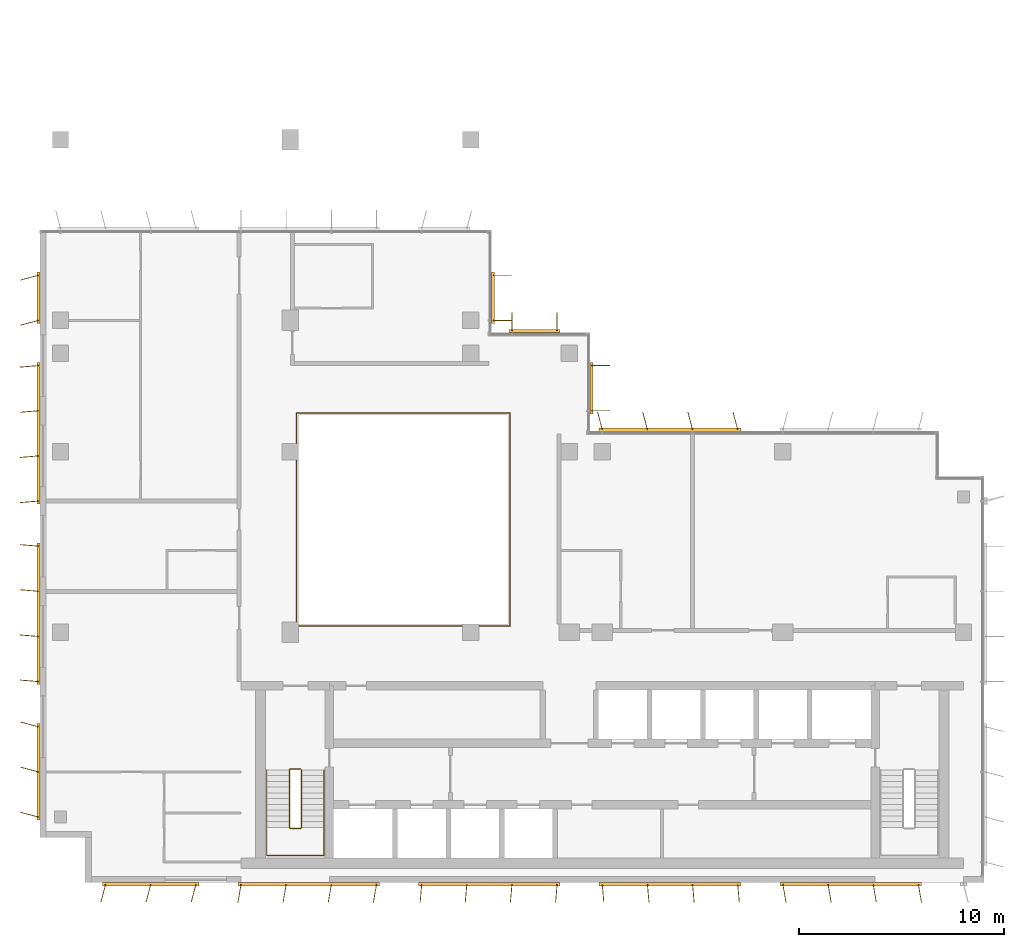
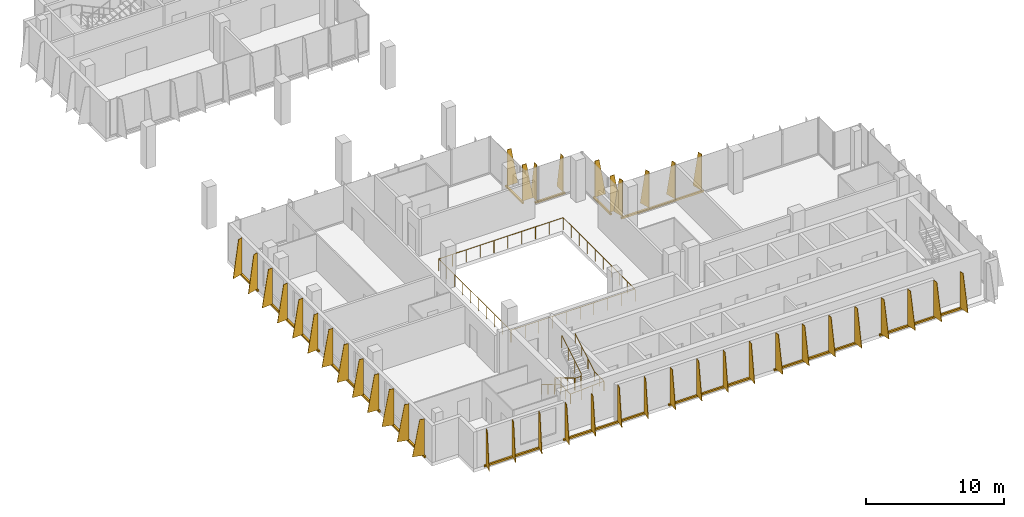
# One storey, part 12 of 13: 13 shading devices, 3 railings.
"""IFC4 building model written with IfcOpenShell, lengths in metres."""

from ifc_helpers import new_model, si_unit, direction, frame, origin, origin_2d, place, context, subcontext, project, spatial, polyline, rectangle, circle, outline, extrude, source, transform, mapped, material, layer, layer_set, type_object, element, save


model = new_model("IFC4")

# Units and contexts
model_context = context("Model", 3, precision=1e-05, world=origin(), true_north=direction((0.0, 1.0)))
body_context = subcontext(model_context, "Body", "Model", "MODEL_VIEW")
ifc_project = project(units=[si_unit("LENGTHUNIT", "METRE"), si_unit("AREAUNIT", "SQUARE_METRE"), si_unit("VOLUMEUNIT", "CUBIC_METRE"), si_unit("PLANEANGLEUNIT", "RADIAN"), si_unit("MASSUNIT", "GRAM", prefix="KILO")], contexts=[model_context])

# Site, building, storey
site_placement = place(None, origin())
site = spatial("IfcSite", under=ifc_project, at=site_placement, CompositionType="ELEMENT")
building_placement = place(site_placement, origin())
building = spatial("IfcBuilding", under=site, at=building_placement, Name="Kemantara Hotel Tower", CompositionType="ELEMENT")
storey_placement = place(building_placement, frame((0.0, 0.0, 252.39990234375)))
storey = spatial("IfcBuildingStorey", under=building, at=storey_placement, Name="L63", CompositionType="ELEMENT", Elevation=252.39990234375)

# Railings
ifc_material_1 = material(Name="Stainless steel and laminated glass balustrade", Category="steel")
railing_type_1 = type_object("IfcRailingType", Name="ATRIUM GUARD 1100", PredefinedType="GUARDRAIL", material=ifc_material_1)
railing_1_placement = place(storey_placement, frame((12.56005859375, 12.5, 0.0)))
element("IfcRailing", 1, at=railing_1_placement, inside=storey, type_object=railing_type_1, Name="ATRIUM GUARD L63", PredefinedType="GUARDRAIL", context=body_context, shape_type="SweptSolid", body=[
    extrude(circle(Radius=0.02490234375, at=origin_2d()), frame((0.0, 0.0, 1.0751953125), z_axis=(1.0, 0.0, 0.0), x_axis=(0.0, 1.0, 0.0)), (0.0, 0.0, 1.0), 10.33984375),
    extrude(circle(Radius=0.02490234375, at=origin_2d()), frame((10.33984375, 0.0, 1.0751953125), z_axis=(0.0, 1.0, 0.0), x_axis=(-1.0, 0.0, 0.0)), (0.0, 0.0, 1.0), 10.39990234375),
    extrude(circle(Radius=0.02490234375, at=origin_2d()), frame((10.33984375, 10.39990234375, 1.0751953125), z_axis=(-1.0, 0.0, 0.0), x_axis=(0.0, -1.0, 0.0)), (0.0, 0.0, 1.0), 10.39990234375),
    extrude(circle(Radius=0.02490234375, at=origin_2d()), frame((-0.06005859375, 10.39990234375, 1.0751953125), z_axis=(0.0, -1.0, 0.0), x_axis=(1.0, 0.0, 0.0)), (0.0, 0.0, 1.0), 10.39990234375),
    extrude(circle(Radius=0.02001953125, at=origin_2d()), origin(), (0.0, 0.0, 1.0), 1.050048828125),
    extrude(circle(Radius=0.02001953125, at=origin_2d()), frame((1.14892578125, 0.0, 0.0)), (0.0, 0.0, 1.0), 1.050048828125),
    extrude(circle(Radius=0.02001953125, at=origin_2d()), frame((2.2978515625, 0.0, 0.0)), (0.0, 0.0, 1.0), 1.050048828125),
    extrude(circle(Radius=0.02001953125, at=origin_2d()), frame((3.446533203125, 0.0, 0.0)), (0.0, 0.0, 1.0), 1.050048828125),
    extrude(circle(Radius=0.02001953125, at=origin_2d()), frame((4.595458984375, 0.0, 0.0)), (0.0, 0.0, 1.0), 1.050048828125),
    extrude(circle(Radius=0.02001953125, at=origin_2d()), frame((5.744384765625, 0.0, 0.0)), (0.0, 0.0, 1.0), 1.050048828125),
    extrude(circle(Radius=0.02001953125, at=origin_2d()), frame((6.893310546875, 0.0, 0.0)), (0.0, 0.0, 1.0), 1.050048828125),
    extrude(circle(Radius=0.02001953125, at=origin_2d()), frame((8.0419921875, 0.0, 0.0)), (0.0, 0.0, 1.0), 1.050048828125),
    extrude(circle(Radius=0.02001953125, at=origin_2d()), frame((9.19091796875, 0.0, 0.0)), (0.0, 0.0, 1.0), 1.050048828125),
    extrude(circle(Radius=0.02001953125, at=origin_2d()), frame((10.33984375, 0.0, 0.0)), (0.0, 0.0, 1.0), 1.050048828125),
    extrude(circle(Radius=0.02001953125, at=origin_2d()), frame((10.33984375, 1.155517578125, 0.0)), (0.0, 0.0, 1.0), 1.050048828125),
    extrude(circle(Radius=0.02001953125, at=origin_2d()), frame((10.33984375, 2.31103515625, 0.0)), (0.0, 0.0, 1.0), 1.050048828125),
    extrude(circle(Radius=0.02001953125, at=origin_2d()), frame((10.33984375, 3.466552734375, 0.0)), (0.0, 0.0, 1.0), 1.050048828125),
    extrude(circle(Radius=0.02001953125, at=origin_2d()), frame((10.33984375, 4.6220703125, 0.0)), (0.0, 0.0, 1.0), 1.050048828125),
    extrude(circle(Radius=0.02001953125, at=origin_2d()), frame((10.33984375, 5.77783203125, 0.0)), (0.0, 0.0, 1.0), 1.050048828125),
    extrude(circle(Radius=0.02001953125, at=origin_2d()), frame((10.33984375, 6.933349609375, 0.0)), (0.0, 0.0, 1.0), 1.050048828125),
    extrude(circle(Radius=0.02001953125, at=origin_2d()), frame((10.33984375, 8.0888671875, 0.0)), (0.0, 0.0, 1.0), 1.050048828125),
    extrude(circle(Radius=0.02001953125, at=origin_2d()), frame((10.33984375, 9.244384765625, 0.0)), (0.0, 0.0, 1.0), 1.050048828125),
    extrude(circle(Radius=0.02001953125, at=origin_2d()), frame((10.33984375, 10.39990234375, 0.0)), (0.0, 0.0, 1.0), 1.050048828125),
    extrude(circle(Radius=0.02001953125, at=origin_2d()), frame((9.184326171875, 10.39990234375, 0.0)), (0.0, 0.0, 1.0), 1.050048828125),
    extrude(circle(Radius=0.02001953125, at=origin_2d()), frame((8.02880859375, 10.39990234375, 0.0)), (0.0, 0.0, 1.0), 1.050048828125),
    extrude(circle(Radius=0.02001953125, at=origin_2d()), frame((6.873291015625, 10.39990234375, 0.0)), (0.0, 0.0, 1.0), 1.050048828125),
    extrude(circle(Radius=0.02001953125, at=origin_2d()), frame((5.7177734375, 10.39990234375, 0.0)), (0.0, 0.0, 1.0), 1.050048828125),
    extrude(circle(Radius=0.02001953125, at=origin_2d()), frame((4.56201171875, 10.39990234375, 0.0)), (0.0, 0.0, 1.0), 1.050048828125),
    extrude(circle(Radius=0.02001953125, at=origin_2d()), frame((3.406494140625, 10.39990234375, 0.0)), (0.0, 0.0, 1.0), 1.050048828125),
    extrude(circle(Radius=0.02001953125, at=origin_2d()), frame((2.2509765625, 10.39990234375, 0.0)), (0.0, 0.0, 1.0), 1.050048828125),
    extrude(circle(Radius=0.02001953125, at=origin_2d()), frame((1.095458984375, 10.39990234375, 0.0)), (0.0, 0.0, 1.0), 1.050048828125),
    extrude(circle(Radius=0.02001953125, at=origin_2d()), frame((-0.06005859375, 10.39990234375, 0.0)), (0.0, 0.0, 1.0), 1.050048828125),
    extrude(circle(Radius=0.02001953125, at=origin_2d()), frame((-0.06005859375, 9.244384765625, 0.0)), (0.0, 0.0, 1.0), 1.050048828125),
    extrude(circle(Radius=0.02001953125, at=origin_2d()), frame((-0.06005859375, 8.0888671875, 0.0)), (0.0, 0.0, 1.0), 1.050048828125),
    extrude(circle(Radius=0.02001953125, at=origin_2d()), frame((-0.06005859375, 6.933349609375, 0.0)), (0.0, 0.0, 1.0), 1.050048828125),
    extrude(circle(Radius=0.02001953125, at=origin_2d()), frame((-0.06005859375, 5.77783203125, 0.0)), (0.0, 0.0, 1.0), 1.050048828125),
    extrude(circle(Radius=0.02001953125, at=origin_2d()), frame((-0.06005859375, 4.6220703125, 0.0)), (0.0, 0.0, 1.0), 1.050048828125),
    extrude(circle(Radius=0.02001953125, at=origin_2d()), frame((-0.06005859375, 3.466552734375, 0.0)), (0.0, 0.0, 1.0), 1.050048828125),
    extrude(circle(Radius=0.02001953125, at=origin_2d()), frame((-0.06005859375, 2.31103515625, 0.0)), (0.0, 0.0, 1.0), 1.050048828125),
    extrude(circle(Radius=0.02001953125, at=origin_2d()), frame((-0.06005859375, 1.155517578125, 0.0)), (0.0, 0.0, 1.0), 1.050048828125),
    extrude(circle(Radius=0.02001953125, at=origin_2d()), frame((-0.06005859375, 0.0, 0.0)), (0.0, 0.0, 1.0), 1.050048828125),
])
ifc_material_2 = material(Name="Stainless steel balustrade", Category="steel")
railing_type_2 = type_object("IfcRailingType", Name="Stair guard 1100 mm", PredefinedType="GUARDRAIL", material=ifc_material_2)
railing_2_placement = place(storey_placement, frame((12.75, 5.5, 3.7001953125)))
element("IfcRailing", 2, at=railing_2_placement, inside=storey, type_object=railing_type_2, Name="L63 ST1 stair guard 1", PredefinedType="GUARDRAIL", context=body_context, shape_type="SweptSolid", body=[
    extrude(circle(Radius=0.02392578125, at=origin_2d()), frame((0.0, 0.0, 1.076171875), z_axis=(0.0, -0.857242210791, -0.514913383045), x_axis=(1.0, 0.0, 0.0)), (0.0, 0.0, 1.0), 3.266357421875),
    extrude(circle(Radius=0.02392578125, at=origin_2d()), frame((0.0, -2.800048828125, -0.60595703125), z_axis=(-0.274243871929, -0.274243871929, -0.92172696468), x_axis=(0.707106781187, -0.707106781187, 0.0)), (0.0, 0.0, 1.0), 0.1826171875),
    extrude(circle(Radius=0.02392578125, at=origin_2d()), frame((-0.050048828125, -2.85009765625, -0.77392578125), z_axis=(-1.0, 0.0, 0.0), x_axis=(0.0, -1.0, 0.0)), (0.0, 0.0, 1.0), 0.5),
    extrude(circle(Radius=0.02392578125, at=origin_2d()), frame((-0.550048828125, -2.85009765625, -0.77392578125), z_axis=(-0.707106781187, 0.707106781187, 0.0), x_axis=(-0.707106781187, -0.707106781187, 0.0)), (0.0, 0.0, 1.0), 0.07080078125),
    extrude(circle(Radius=0.02392578125, at=origin_2d()), frame((-0.60009765625, -2.800048828125, -0.77392578125), z_axis=(0.0, 0.857242210791, -0.514913383045), x_axis=(-1.0, 0.0, 0.0)), (0.0, 0.0, 1.0), 3.266357421875),
    extrude(circle(Radius=0.02392578125, at=origin_2d()), frame((-0.60009765625, 0.0, -2.4560546875), z_axis=(0.274243871929, 0.274243871929, -0.92172696468), x_axis=(-0.707106781187, 0.707106781187, 0.0)), (0.0, 0.0, 1.0), 0.1826171875),
    extrude(circle(Radius=0.02392578125, at=origin_2d()), frame((-0.550048828125, 0.050048828125, -2.6240234375), z_axis=(1.0, 0.0, 0.0), x_axis=(0.0, 1.0, 0.0)), (0.0, 0.0, 1.0), 0.5),
    extrude(circle(Radius=0.02099609375, at=origin_2d()), origin(), (0.0, 0.0, 1.0), 1.052001953125),
    extrude(circle(Radius=0.02099609375, at=origin_2d()), frame((0.0, -0.933349609375, -0.560546875)), (0.0, 0.0, 1.0), 1.052001953125),
    extrude(circle(Radius=0.02099609375, at=origin_2d()), frame((0.0, -1.86669921875, -1.121337890625)), (0.0, 0.0, 1.0), 1.052001953125),
    extrude(circle(Radius=0.02099609375, at=origin_2d()), frame((0.0, -2.800048828125, -1.681884765625)), (0.0, 0.0, 1.0), 1.052001953125),
    extrude(circle(Radius=0.02099609375, at=origin_2d()), frame((-0.050048828125, -2.85009765625, -1.85009765625)), (0.0, 0.0, 1.0), 1.052001953125),
    extrude(circle(Radius=0.02099609375, at=origin_2d()), frame((-0.550048828125, -2.85009765625, -1.85009765625)), (0.0, 0.0, 1.0), 1.052001953125),
    extrude(circle(Radius=0.02099609375, at=origin_2d()), frame((-0.60009765625, -2.800048828125, -1.85009765625)), (0.0, 0.0, 1.0), 1.052001953125),
    extrude(circle(Radius=0.02099609375, at=origin_2d()), frame((-0.60009765625, -1.86669921875, -2.41064453125)), (0.0, 0.0, 1.0), 1.052001953125),
    extrude(circle(Radius=0.02099609375, at=origin_2d()), frame((-0.60009765625, -0.933349609375, -2.971435546875)), (0.0, 0.0, 1.0), 1.052001953125),
    extrude(circle(Radius=0.02099609375, at=origin_2d()), frame((-0.60009765625, 0.0, -3.531982421875)), (0.0, 0.0, 1.0), 1.052001953125),
    extrude(circle(Radius=0.02099609375, at=origin_2d()), frame((-0.550048828125, 0.050048828125, -3.7001953125)), (0.0, 0.0, 1.0), 1.052001953125),
    extrude(circle(Radius=0.02099609375, at=origin_2d()), frame((-0.050048828125, 0.050048828125, -3.7001953125)), (0.0, 0.0, 1.0), 1.052001953125),
])
railing_type_3 = type_object("IfcRailingType", Name="Stair handrail 900 mm", PredefinedType="HANDRAIL", material=ifc_material_2)
railing_3_placement = place(storey_placement, frame((11.050048828125, 5.5, 0.168212890625)))
element("IfcRailing", 3, at=railing_3_placement, inside=storey, type_object=railing_type_3, Name="L63 ST1 stair handrail 1", PredefinedType="HANDRAIL", context=body_context, shape_type="SweptSolid", body=[
    extrude(circle(Radius=0.02392578125, at=origin_2d()), frame((0.0, 0.0, 0.8759765625), z_axis=(0.0, -0.857242210791, 0.514913383045), x_axis=(1.0, 0.0, 0.0)), (0.0, 0.0, 1.0), 3.266357421875),
    extrude(circle(Radius=0.02392578125, at=origin_2d()), frame((0.0, -2.800048828125, 2.5576171875), z_axis=(0.0, -1.0, 0.0), x_axis=(1.0, 0.0, 0.0)), (0.0, 0.0, 1.0), 1.3798828125),
    extrude(circle(Radius=0.02392578125, at=origin_2d()), frame((0.0, -4.179931640625, 2.5576171875), z_axis=(0.998200367801, 0.0, 0.059966871865), x_axis=(0.0, 1.0, 0.0)), (0.0, 0.0, 1.0), 2.80517578125),
    extrude(circle(Radius=0.02392578125, at=origin_2d()), frame((2.800048828125, -4.179931640625, 2.72607421875), z_axis=(0.0, 1.0, 0.0), x_axis=(-1.0, 0.0, 0.0)), (0.0, 0.0, 1.0), 1.3798828125),
    extrude(circle(Radius=0.02392578125, at=origin_2d()), frame((2.800048828125, -2.800048828125, 2.72607421875), z_axis=(0.0, 0.857242210791, 0.514913383045), x_axis=(-1.0, 0.0, 0.0)), (0.0, 0.0, 1.0), 3.266357421875),
    extrude(circle(Radius=0.02099609375, at=origin_2d()), origin(), (0.0, 0.0, 1.0), 0.851806640625),
    extrude(circle(Radius=0.02099609375, at=origin_2d()), frame((0.0, -0.933349609375, 0.560546875)), (0.0, 0.0, 1.0), 0.851806640625),
    extrude(circle(Radius=0.02099609375, at=origin_2d()), frame((0.0, -1.86669921875, 1.121337890625)), (0.0, 0.0, 1.0), 0.851806640625),
    extrude(circle(Radius=0.02099609375, at=origin_2d()), frame((0.0, -2.800048828125, 1.681884765625)), (0.0, 0.0, 1.0), 0.851806640625),
    extrude(circle(Radius=0.02099609375, at=origin_2d()), frame((0.0, -3.489990234375, 1.681884765625)), (0.0, 0.0, 1.0), 0.851806640625),
    extrude(circle(Radius=0.02099609375, at=origin_2d()), frame((0.0, -4.179931640625, 1.681884765625)), (0.0, 0.0, 1.0), 0.851806640625),
    extrude(circle(Radius=0.02099609375, at=origin_2d()), frame((0.933349609375, -4.179931640625, 1.738037109375)), (0.0, 0.0, 1.0), 0.851806640625),
    extrude(circle(Radius=0.02099609375, at=origin_2d()), frame((1.86669921875, -4.179931640625, 1.7939453125)), (0.0, 0.0, 1.0), 0.851806640625),
    extrude(circle(Radius=0.02099609375, at=origin_2d()), frame((2.800048828125, -4.179931640625, 1.85009765625)), (0.0, 0.0, 1.0), 0.851806640625),
    extrude(circle(Radius=0.02099609375, at=origin_2d()), frame((2.800048828125, -3.489990234375, 1.85009765625)), (0.0, 0.0, 1.0), 0.851806640625),
    extrude(circle(Radius=0.02099609375, at=origin_2d()), frame((2.800048828125, -2.800048828125, 1.85009765625)), (0.0, 0.0, 1.0), 0.851806640625),
    extrude(circle(Radius=0.02099609375, at=origin_2d()), frame((2.800048828125, -1.86669921875, 2.41064453125)), (0.0, 0.0, 1.0), 0.851806640625),
    extrude(circle(Radius=0.02099609375, at=origin_2d()), frame((2.800048828125, -0.933349609375, 2.971435546875)), (0.0, 0.0, 1.0), 0.851806640625),
    extrude(circle(Radius=0.02099609375, at=origin_2d()), frame((2.800048828125, 0.0, 3.531982421875)), (0.0, 0.0, 1.0), 0.851806640625),
])

# Shading devices
ifc_material_3 = material(Name="Perforated aluminium plate 4 mm bronze anodised", Category="aluminium")
ifc_layer_1 = layer(ifc_material_3, 0.0400390625)
ifc_layer_set_1 = layer_set([ifc_layer_1], Name="Perforated aluminium plate 4 mm bronze anodised")
shading_device_type_1 = type_object("IfcShadingDeviceType", Name="SCREEN FIN CASSETTE, 3 BLADES AT -15.0 DEG, 3200 HIGH", PredefinedType="USERDEFINED", material=ifc_layer_set_1)
shared_shape_1 = source(origin(), body_context, "Body", "SweptSolid", [
    extrude(rectangle(XDim=4.699951171875, YDim=0.14990234375, at=origin_2d()), frame((2.199951171875, -0.074951171875, -0.14990234375), z_axis=(0.0, 0.0, 1.0), x_axis=(1.0, 0.0, 0.0)), (0.0, 0.0, 1.0), 0.14990234375),
    extrude(outline(polyline([(0.0, 0.0), (0.89990234375, 0.0), (0.35009765625, 3.199951171875), (0.0, 3.199951171875), (0.0, 0.0)])), frame((0.019287109375, -0.080078125, 0.0), z_axis=(-0.966437683387, 0.256901156343, 0.0), x_axis=(-0.256901156343, -0.966437683387, 0.0)), (0.0, 0.0, 1.0), 0.039794921875),
    extrude(outline(polyline([(0.0, 0.0), (0.89990234375, 0.0), (0.35009765625, 3.199951171875), (0.0, 3.199951171875), (0.0, 0.0)])), frame((2.21923828125, -0.080078125, 0.0), z_axis=(-0.966437683387, 0.256901156343, 0.0), x_axis=(-0.256901156343, -0.966437683387, 0.0)), (0.0, 0.0, 1.0), 0.039794921875),
    extrude(outline(polyline([(0.0, 0.0), (0.89990234375, 0.0), (0.35009765625, 3.199951171875), (0.0, 3.199951171875), (0.0, 0.0)])), frame((4.41943359375, -0.080078125, 0.0), z_axis=(-0.966837822169, 0.255391122837, 0.0), x_axis=(-0.255391122837, -0.966837822169, 0.0)), (0.0, 0.0, 1.0), 0.0400390625),
])
for number, where, z_axis, x_axis, name in (
    (4, (0.0, 7.60009765625, 0.10009765625), (0.0, 0.0, 1.0), (0.0, -1.0, 0.0), "SCREEN FIN CASSETTE L63 T4P-R02-4"),
    (5, (3.199951171875, 0.0, 0.10009765625), (0.0, 0.0, 1.0), (1.0, 0.0, 0.0), "SCREEN FIN CASSETTE L63 T4P-R05-1"),
):
    element("IfcShadingDevice", number, at=place(storey_placement, frame(where, z_axis=z_axis, x_axis=x_axis)), inside=storey, type_object=shading_device_type_1, Name=name, ObjectType="SCREEN FIN", PredefinedType="USERDEFINED", context=body_context, shape_type="MappedRepresentation", body=[
        mapped(shared_shape_1, transform((0.0, 0.0, 0.0))),
    ])
ifc_layer_2 = layer(ifc_material_3, 0.0400390625)
ifc_layer_set_2 = layer_set([ifc_layer_2], Name="Perforated aluminium plate 4 mm bronze anodised")
shading_device_type_2 = type_object("IfcShadingDeviceType", Name="SCREEN FIN CASSETTE, 4 BLADES AT -10.0 DEG, 3200 HIGH", PredefinedType="USERDEFINED", material=ifc_layer_set_2)
shared_shape_2 = source(origin(), body_context, "Body", "SweptSolid", [
    extrude(rectangle(XDim=6.89990234375, YDim=0.14990234375, at=origin_2d()), frame((3.300048828125, -0.074951171875, -0.14990234375), z_axis=(0.0, 0.0, 1.0), x_axis=(1.0, 0.0, 0.0)), (0.0, 0.0, 1.0), 0.14990234375),
    extrude(outline(polyline([(0.0, 0.0), (0.89990234375, 0.0), (0.35009765625, 3.199951171875), (0.0, 3.199951171875), (0.0, 0.0)])), frame((0.019775390625, -0.078369140625, 0.0), z_axis=(-0.985389793052, 0.170314285219, 0.0), x_axis=(-0.170314285219, -0.985389793052, 0.0)), (0.0, 0.0, 1.0), 0.0400390625),
    extrude(outline(polyline([(0.0, 0.0), (0.89990234375, 0.0), (0.35009765625, 3.199951171875), (0.0, 3.199951171875), (0.0, 0.0)])), frame((2.2197265625, -0.078369140625, 0.0), z_axis=(-0.98521175482, 0.171341174751, 0.0), x_axis=(-0.171341174751, -0.98521175482, 0.0)), (0.0, 0.0, 1.0), 0.039794921875),
    extrude(outline(polyline([(0.0, 0.0), (0.89990234375, 0.0), (0.35009765625, 3.199951171875), (0.0, 3.199951171875), (0.0, 0.0)])), frame((4.419677734375, -0.078369140625, 0.0), z_axis=(-0.98521175482, 0.171341174751, 0.0), x_axis=(-0.171341174751, -0.98521175482, 0.0)), (0.0, 0.0, 1.0), 0.039794921875),
    extrude(outline(polyline([(0.0, 0.0), (0.89990234375, 0.0), (0.35009765625, 3.199951171875), (0.0, 3.199951171875), (0.0, 0.0)])), frame((6.61962890625, -0.078369140625, 0.0), z_axis=(-0.98521175482, 0.171341174751, 0.0), x_axis=(-0.171341174751, -0.98521175482, 0.0)), (0.0, 0.0, 1.0), 0.039794921875),
])
shading_device_1_placement = place(storey_placement, frame((9.800048828125, 0.0, 0.10009765625), z_axis=(0.0, 0.0, 1.0), x_axis=(1.0, 0.0, 0.0)))
element("IfcShadingDevice", 6, at=shading_device_1_placement, inside=storey, type_object=shading_device_type_2, Name="SCREEN FIN CASSETTE L63 T4P-R05-2", ObjectType="SCREEN FIN", PredefinedType="USERDEFINED", context=body_context, shape_type="MappedRepresentation", body=[
    mapped(shared_shape_2, transform((0.0, 0.0, 0.0))),
])
ifc_layer_3 = layer(ifc_material_3, 0.0400390625)
ifc_layer_set_3 = layer_set([ifc_layer_3], Name="Perforated aluminium plate 4 mm bronze anodised")
shading_device_type_3 = type_object("IfcShadingDeviceType", Name="SCREEN FIN CASSETTE, 4 BLADES AT -5.0 DEG, 3200 HIGH", PredefinedType="USERDEFINED", material=ifc_layer_set_3)
shared_shape_3 = source(origin(), body_context, "Body", "SweptSolid", [
    extrude(rectangle(XDim=6.89990234375, YDim=0.14990234375, at=origin_2d()), frame((3.300048828125, -0.074951171875, -0.14990234375), z_axis=(0.0, 0.0, 1.0), x_axis=(1.0, 0.0, 0.0)), (0.0, 0.0, 1.0), 0.14990234375),
    extrude(outline(polyline([(0.0, 0.0), (0.89990234375, 0.0), (0.35009765625, 3.199951171875), (0.0, 3.199951171875), (0.0, 0.0)])), frame((0.02001953125, -0.07666015625, 0.0), z_axis=(-0.996376129781, 0.085056498884, 0.0), x_axis=(-0.085056498884, -0.996376129781, 0.0)), (0.0, 0.0, 1.0), 0.040283203125),
    extrude(outline(polyline([(0.0, 0.0), (0.89990234375, 0.0), (0.35009765625, 3.199951171875), (0.0, 3.199951171875), (0.0, 0.0)])), frame((2.219970703125, -0.07666015625, 0.0), z_axis=(-0.996331773833, 0.085574508182, 0.0), x_axis=(-0.085574508182, -0.996331773833, 0.0)), (0.0, 0.0, 1.0), 0.0400390625),
    extrude(outline(polyline([(0.0, 0.0), (0.89990234375, 0.0), (0.35009765625, 3.199951171875), (0.0, 3.199951171875), (0.0, 0.0)])), frame((4.419921875, -0.07666015625, 0.0), z_axis=(-0.996331773833, 0.085574508182, 0.0), x_axis=(-0.085574508182, -0.996331773833, 0.0)), (0.0, 0.0, 1.0), 0.0400390625),
    extrude(outline(polyline([(0.0, 0.0), (0.89990234375, 0.0), (0.35009765625, 3.199951171875), (0.0, 3.199951171875), (0.0, 0.0)])), frame((6.619873046875, -0.07666015625, 0.0), z_axis=(-0.996331773833, 0.085574508182, 0.0), x_axis=(-0.085574508182, -0.996331773833, 0.0)), (0.0, 0.0, 1.0), 0.0400390625),
])
for number, where, z_axis, x_axis, name in (
    (7, (0.0, 16.39990234375, 0.10009765625), (0.0, 0.0, 1.0), (0.0, -1.0, 0.0), "SCREEN FIN CASSETTE L63 T4P-R02-3"),
    (8, (18.60009765625, 0.0, 0.10009765625), (0.0, 0.0, 1.0), (1.0, 0.0, 0.0), "SCREEN FIN CASSETTE L63 T4P-R05-3"),
):
    element("IfcShadingDevice", number, at=place(storey_placement, frame(where, z_axis=z_axis, x_axis=x_axis)), inside=storey, type_object=shading_device_type_3, Name=name, ObjectType="SCREEN FIN", PredefinedType="USERDEFINED", context=body_context, shape_type="MappedRepresentation", body=[
        mapped(shared_shape_3, transform((0.0, 0.0, 0.0))),
    ])
ifc_layer_4 = layer(ifc_material_3, 0.0400390625)
ifc_layer_set_4 = layer_set([ifc_layer_4], Name="Perforated aluminium plate 4 mm bronze anodised")
shading_device_type_4 = type_object("IfcShadingDeviceType", Name="SCREEN FIN CASSETTE, 4 BLADES AT +5.0 DEG, 3200 HIGH", PredefinedType="USERDEFINED", material=ifc_layer_set_4)
shared_shape_4 = source(origin(), body_context, "Body", "SweptSolid", [
    extrude(rectangle(XDim=6.89990234375, YDim=0.14990234375, at=origin_2d()), frame((3.300048828125, -0.074951171875, -0.14990234375), z_axis=(0.0, 0.0, 1.0), x_axis=(1.0, 0.0, 0.0)), (0.0, 0.0, 1.0), 0.14990234375),
    extrude(outline(polyline([(0.0, 0.0), (0.89990234375, 0.0), (0.35009765625, 3.199951171875), (0.0, 3.199951171875), (0.0, 0.0)])), frame((0.02001953125, -0.0732421875, 0.0), z_axis=(-0.996376129781, -0.085056498884, 0.0), x_axis=(0.085056498884, -0.996376129781, 0.0)), (0.0, 0.0, 1.0), 0.040283203125),
    extrude(outline(polyline([(0.0, 0.0), (0.89990234375, 0.0), (0.35009765625, 3.199951171875), (0.0, 3.199951171875), (0.0, 0.0)])), frame((2.219970703125, -0.0732421875, 0.0), z_axis=(-0.996331773833, -0.085574508182, 0.0), x_axis=(0.085574508182, -0.996331773833, 0.0)), (0.0, 0.0, 1.0), 0.0400390625),
    extrude(outline(polyline([(0.0, 0.0), (0.89990234375, 0.0), (0.35009765625, 3.199951171875), (0.0, 3.199951171875), (0.0, 0.0)])), frame((4.419921875, -0.0732421875, 0.0), z_axis=(-0.996331773833, -0.085574508182, 0.0), x_axis=(0.085574508182, -0.996331773833, 0.0)), (0.0, 0.0, 1.0), 0.0400390625),
    extrude(outline(polyline([(0.0, 0.0), (0.89990234375, 0.0), (0.35009765625, 3.199951171875), (0.0, 3.199951171875), (0.0, 0.0)])), frame((6.619873046875, -0.0732421875, 0.0), z_axis=(-0.996331773833, -0.085574508182, 0.0), x_axis=(0.085574508182, -0.996331773833, 0.0)), (0.0, 0.0, 1.0), 0.0400390625),
])
for number, where, z_axis, x_axis, name in (
    (9, (0.0, 25.199951171875, 0.10009765625), (0.0, 0.0, 1.0), (0.0, -1.0, 0.0), "SCREEN FIN CASSETTE L63 T4P-R02-2"),
    (10, (27.39990234375, 0.0, 0.10009765625), (0.0, 0.0, 1.0), (1.0, 0.0, 0.0), "SCREEN FIN CASSETTE L63 T4P-R05-4"),
):
    element("IfcShadingDevice", number, at=place(storey_placement, frame(where, z_axis=z_axis, x_axis=x_axis)), inside=storey, type_object=shading_device_type_4, Name=name, ObjectType="SCREEN FIN", PredefinedType="USERDEFINED", context=body_context, shape_type="MappedRepresentation", body=[
        mapped(shared_shape_4, transform((0.0, 0.0, 0.0))),
    ])
ifc_layer_5 = layer(ifc_material_3, 0.0400390625)
ifc_layer_set_5 = layer_set([ifc_layer_5], Name="Perforated aluminium plate 4 mm bronze anodised")
shading_device_type_5 = type_object("IfcShadingDeviceType", Name="SCREEN FIN CASSETTE, 4 BLADES AT +10.0 DEG, 3200 HIGH", PredefinedType="USERDEFINED", material=ifc_layer_set_5)
shared_shape_5 = source(origin(), body_context, "Body", "SweptSolid", [
    extrude(rectangle(XDim=6.89990234375, YDim=0.14990234375, at=origin_2d()), frame((3.300048828125, -0.074951171875, -0.14990234375), z_axis=(0.0, 0.0, 1.0), x_axis=(1.0, 0.0, 0.0)), (0.0, 0.0, 1.0), 0.14990234375),
    extrude(outline(polyline([(0.0, 0.0), (0.89990234375, 0.0), (0.35009765625, 3.199951171875), (0.0, 3.199951171875), (0.0, 0.0)])), frame((0.019775390625, -0.071533203125, 0.0), z_axis=(-0.985389793052, -0.170314285219, 0.0), x_axis=(0.170314285219, -0.985389793052, 0.0)), (0.0, 0.0, 1.0), 0.0400390625),
    extrude(outline(polyline([(0.0, 0.0), (0.89990234375, 0.0), (0.35009765625, 3.199951171875), (0.0, 3.199951171875), (0.0, 0.0)])), frame((2.2197265625, -0.071533203125, 0.0), z_axis=(-0.98521175482, -0.171341174751, 0.0), x_axis=(0.171341174751, -0.98521175482, 0.0)), (0.0, 0.0, 1.0), 0.039794921875),
    extrude(outline(polyline([(0.0, 0.0), (0.89990234375, 0.0), (0.35009765625, 3.199951171875), (0.0, 3.199951171875), (0.0, 0.0)])), frame((4.419677734375, -0.071533203125, 0.0), z_axis=(-0.98521175482, -0.171341174751, 0.0), x_axis=(0.171341174751, -0.98521175482, 0.0)), (0.0, 0.0, 1.0), 0.039794921875),
    extrude(outline(polyline([(0.0, 0.0), (0.89990234375, 0.0), (0.35009765625, 3.199951171875), (0.0, 3.199951171875), (0.0, 0.0)])), frame((6.61962890625, -0.071533203125, 0.0), z_axis=(-0.98521175482, -0.171341174751, 0.0), x_axis=(0.171341174751, -0.98521175482, 0.0)), (0.0, 0.0, 1.0), 0.039794921875),
])
shading_device_2_placement = place(storey_placement, frame((36.199951171875, 0.0, 0.10009765625), z_axis=(0.0, 0.0, 1.0), x_axis=(1.0, 0.0, 0.0)))
element("IfcShadingDevice", 11, at=shading_device_2_placement, inside=storey, type_object=shading_device_type_5, Name="SCREEN FIN CASSETTE L63 T4P-R05-5", ObjectType="SCREEN FIN", PredefinedType="USERDEFINED", context=body_context, shape_type="MappedRepresentation", body=[
    mapped(shared_shape_5, transform((0.0, 0.0, 0.0))),
])
ifc_layer_6 = layer(ifc_material_3, 0.0400390625)
ifc_layer_set_6 = layer_set([ifc_layer_6], Name="Perforated aluminium plate 4 mm bronze anodised")
shading_device_type_6 = type_object("IfcShadingDeviceType", Name="SCREEN FIN CASSETTE, 4 BLADES AT +15.0 DEG, 3200 HIGH", PredefinedType="USERDEFINED", material=ifc_layer_set_6)
shared_shape_6 = source(origin(), body_context, "Body", "SweptSolid", [
    extrude(rectangle(XDim=6.89990234375, YDim=0.14990234375, at=origin_2d()), frame((3.300048828125, -0.074951171875, -0.14990234375), z_axis=(0.0, 0.0, 1.0), x_axis=(1.0, 0.0, 0.0)), (0.0, 0.0, 1.0), 0.14990234375),
    extrude(outline(polyline([(0.0, 0.0), (0.89990234375, 0.0), (0.35009765625, 3.199951171875), (0.0, 3.199951171875), (0.0, 0.0)])), frame((0.019287109375, -0.06982421875, 0.0), z_axis=(-0.966437683387, -0.256901156343, 0.0), x_axis=(0.256901156343, -0.966437683387, 0.0)), (0.0, 0.0, 1.0), 0.039794921875),
    extrude(outline(polyline([(0.0, 0.0), (0.89990234375, 0.0), (0.35009765625, 3.199951171875), (0.0, 3.199951171875), (0.0, 0.0)])), frame((2.21923828125, -0.06982421875, 0.0), z_axis=(-0.966437683387, -0.256901156343, 0.0), x_axis=(0.256901156343, -0.966437683387, 0.0)), (0.0, 0.0, 1.0), 0.039794921875),
    extrude(outline(polyline([(0.0, 0.0), (0.89990234375, 0.0), (0.35009765625, 3.199951171875), (0.0, 3.199951171875), (0.0, 0.0)])), frame((4.41943359375, -0.06982421875, 0.0), z_axis=(-0.966837822169, -0.255391122837, 0.0), x_axis=(0.255391122837, -0.966837822169, 0.0)), (0.0, 0.0, 1.0), 0.0400390625),
    extrude(outline(polyline([(0.0, 0.0), (0.89990234375, 0.0), (0.35009765625, 3.199951171875), (0.0, 3.199951171875), (0.0, 0.0)])), frame((6.619384765625, -0.06982421875, 0.0), z_axis=(-0.966837822169, -0.255391122837, 0.0), x_axis=(0.255391122837, -0.966837822169, 0.0)), (0.0, 0.0, 1.0), 0.0400390625),
])
shading_device_3_placement = place(storey_placement, frame((34.0, 22.0, 0.10009765625), z_axis=(0.0, 0.0, 1.0), x_axis=(-1.0, 0.0, 0.0)))
element("IfcShadingDevice", 12, at=shading_device_3_placement, inside=storey, type_object=shading_device_type_6, Name="SCREEN FIN CASSETTE L63 T4P-R09-2", ObjectType="SCREEN FIN", PredefinedType="USERDEFINED", context=body_context, shape_type="MappedRepresentation", body=[
    mapped(shared_shape_6, transform((0.0, 0.0, 0.0))),
])
ifc_layer_7 = layer(ifc_material_3, 0.0400390625)
ifc_layer_set_7 = layer_set([ifc_layer_7], Name="Perforated aluminium plate 4 mm bronze anodised")
shading_device_type_7 = type_object("IfcShadingDeviceType", Name="SCREEN FIN CASSETTE, 2 BLADES AT +15.0 DEG, 3200 HIGH", PredefinedType="USERDEFINED", material=ifc_layer_set_7)
shared_shape_7 = source(origin(), body_context, "Body", "SweptSolid", [
    extrude(rectangle(XDim=2.5, YDim=0.14990234375, at=origin_2d()), frame((1.10009765625, -0.074951171875, -0.14990234375), z_axis=(0.0, 0.0, 1.0), x_axis=(1.0, 0.0, 0.0)), (0.0, 0.0, 1.0), 0.14990234375),
    extrude(outline(polyline([(0.0, 0.0), (0.89990234375, 0.0), (0.35009765625, 3.199951171875), (0.0, 3.199951171875), (0.0, 0.0)])), frame((0.019287109375, -0.06982421875, 0.0), z_axis=(-0.966437683387, -0.256901156343, 0.0), x_axis=(0.256901156343, -0.966437683387, 0.0)), (0.0, 0.0, 1.0), 0.039794921875),
    extrude(outline(polyline([(0.0, 0.0), (0.89990234375, 0.0), (0.35009765625, 3.199951171875), (0.0, 3.199951171875), (0.0, 0.0)])), frame((2.21923828125, -0.06982421875, 0.0), z_axis=(-0.966437683387, -0.256901156343, 0.0), x_axis=(0.256901156343, -0.966437683387, 0.0)), (0.0, 0.0, 1.0), 0.039794921875),
])
shading_device_4_placement = place(storey_placement, frame((0.0, 29.60009765625, 0.10009765625), z_axis=(0.0, 0.0, 1.0), x_axis=(0.0, -1.0, 0.0)))
element("IfcShadingDevice", 13, at=shading_device_4_placement, inside=storey, type_object=shading_device_type_7, Name="SCREEN FIN CASSETTE L63 T4P-R02-1", ObjectType="SCREEN FIN", PredefinedType="USERDEFINED", context=body_context, shape_type="MappedRepresentation", body=[
    mapped(shared_shape_7, transform((0.0, 0.0, 0.0))),
])
ifc_layer_8 = layer(ifc_material_3, 0.0400390625)
ifc_layer_set_8 = layer_set([ifc_layer_8], Name="Perforated aluminium plate 4 mm bronze anodised")
shading_device_type_8 = type_object("IfcShadingDeviceType", Name="SCREEN FIN CASSETTE, 2 BLADES AT +0.0 DEG, 3200 HIGH", PredefinedType="USERDEFINED", material=ifc_layer_set_8)
shared_shape_8 = source(origin(), body_context, "Body", "SweptSolid", [
    extrude(rectangle(XDim=2.5, YDim=0.14990234375, at=origin_2d()), frame((1.10009765625, -0.074951171875, -0.14990234375), z_axis=(0.0, 0.0, 1.0), x_axis=(1.0, 0.0, 0.0)), (0.0, 0.0, 1.0), 0.14990234375),
    extrude(outline(polyline([(0.0, 0.0), (0.89990234375, 0.0), (0.35009765625, 3.199951171875), (0.0, 3.199951171875), (0.0, 0.0)])), frame((0.02001953125, -0.074951171875, 0.0), z_axis=(-1.0, 0.0, 0.0), x_axis=(0.0, -1.0, 0.0)), (0.0, 0.0, 1.0), 0.0400390625),
    extrude(outline(polyline([(0.0, 0.0), (0.89990234375, 0.0), (0.35009765625, 3.199951171875), (0.0, 3.199951171875), (0.0, 0.0)])), frame((2.219970703125, -0.074951171875, 0.0), z_axis=(-1.0, 0.0, 0.0), x_axis=(0.0, -1.0, 0.0)), (0.0, 0.0, 1.0), 0.0400390625),
])
for number, where, z_axis, x_axis, name in (
    (14, (22.0, 27.39990234375, 0.10009765625), (0.0, 0.0, 1.0), (0.0, 1.0, 0.0), "SCREEN FIN CASSETTE L63 T4P-R00-1"),
    (15, (26.800048828125, 23.0, 0.10009765625), (0.0, 0.0, 1.0), (0.0, 1.0, 0.0), "SCREEN FIN CASSETTE L63 T4P-R10-1"),
    (16, (25.199951171875, 26.800048828125, 0.10009765625), (0.0, 0.0, 1.0), (-1.0, 0.0, 0.0), "SCREEN FIN CASSETTE L63 T4P-R11-1"),
):
    element("IfcShadingDevice", number, at=place(storey_placement, frame(where, z_axis=z_axis, x_axis=x_axis)), inside=storey, type_object=shading_device_type_8, Name=name, ObjectType="SCREEN FIN", PredefinedType="USERDEFINED", context=body_context, shape_type="MappedRepresentation", body=[
        mapped(shared_shape_8, transform((0.0, 0.0, 0.0))),
    ])

save(model, "model.ifc")
